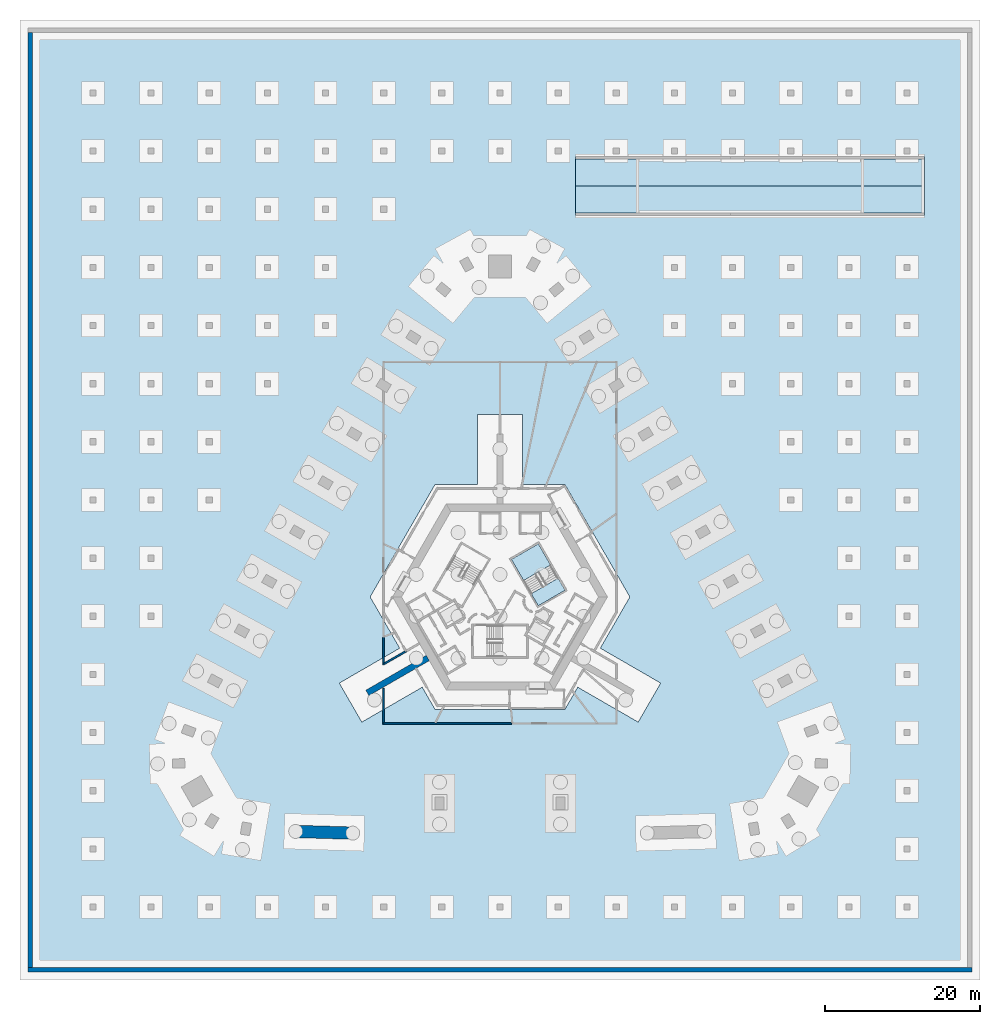
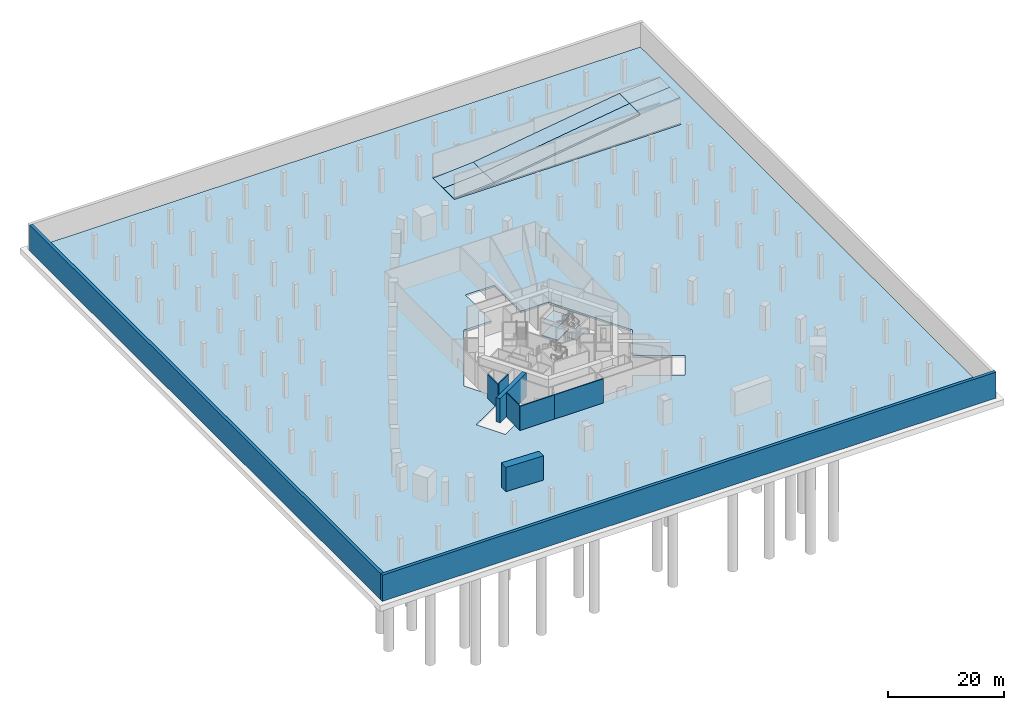
# One storey, part 4 of 14: 10 slabs, 9 walls, 1 element without a shape of its own.
"""IFC4 building model written with IfcOpenShell, lengths in metres."""

from ifc_helpers import new_model, si_unit, direction, frame, frame_2d, origin, place, context, subcontext, project, spatial, polyline, rectangle, outline, extrude, material, layer, layer_set, type_object, element, aggregate, save


model = new_model("IFC4")

# Units and contexts
model_context = context("Model", 3, precision=1e-05, world=origin(), true_north=direction((0.0, 1.0)))
body_context = subcontext(model_context, "Body", "Model", "MODEL_VIEW")
ifc_project = project(units=[si_unit("LENGTHUNIT", "METRE"), si_unit("AREAUNIT", "SQUARE_METRE"), si_unit("VOLUMEUNIT", "CUBIC_METRE"), si_unit("PLANEANGLEUNIT", "RADIAN"), si_unit("MASSUNIT", "GRAM", prefix="KILO")], contexts=[model_context])

# Site, building, storey
site_placement = place(None, origin())
site = spatial("IfcSite", under=ifc_project, at=site_placement, CompositionType="ELEMENT")
building_placement = place(site_placement, origin())
building = spatial("IfcBuilding", under=site, at=building_placement, Name="Entoto Arch Interchange Tower", CompositionType="ELEMENT")
storey_placement = place(building_placement, frame((0.0, 0.0, -16.5)))
storey = spatial("IfcBuildingStorey", under=building, at=storey_placement, Name="B3", CompositionType="ELEMENT", Elevation=-16.5)

# Stair, slabs
ifc_material_1 = material(Name="Concrete C40/50", Category="concrete")
stair_type = type_object("IfcStairType", Name="EXIT STAIR RC 1800", PredefinedType="HALF_TURN_STAIR", material=ifc_material_1)
stair_placement = place(storey_placement, origin())
stair = element("IfcStair", 1, at=stair_placement, inside=storey, type_object=stair_type, Name="B3 Exit stair NE", PredefinedType="HALF_TURN_STAIR")
ifc_layer_1 = layer(ifc_material_1, 0.199951171875)
ifc_layer_set_1 = layer_set([ifc_layer_1], Name="Concrete C40/50")
slab_type_1 = type_object("IfcSlabType", Name="EXIT STAIR LANDING RC 200", PredefinedType="LANDING", material=ifc_layer_set_1)
slab_1_placement = place(storey_placement, frame((0.0, 0.0, 1.175048828125)))
slab_1 = element("IfcSlab", 2, at=slab_1_placement, type_object=slab_type_1, Name="ST-NE landing 1", PredefinedType="LANDING", context=body_context, shape_type="SweptSolid", body=[
    extrude(outline(polyline([(6.513427734375, 6.618408203125), (4.943359375, 9.337890625), (1.479248046875, 7.337890625), (3.04931640625, 4.618408203125), (6.513427734375, 6.618408203125)])), origin(), (0.0, 0.0, 1.0), 0.199951171875),
])
slab_2_placement = place(storey_placement, frame((0.0, 0.0, 2.550048828125)))
slab_2 = element("IfcSlab", 3, at=slab_2_placement, type_object=slab_type_1, Name="ST-NE landing 2", PredefinedType="LANDING", context=body_context, shape_type="SweptSolid", body=[
    extrude(outline(polyline([(8.393310546875, 3.3623046875), (7.493408203125, 4.921142578125), (4.029296875, 2.921142578125), (4.92919921875, 1.3623046875), (8.393310546875, 3.3623046875)])), origin(), (0.0, 0.0, 1.0), 0.199951171875),
])
slab_3_placement = place(storey_placement, frame((0.0, 0.0, 3.925048828125)))
slab_3 = element("IfcSlab", 4, at=slab_3_placement, type_object=slab_type_1, Name="ST-NE landing 3", PredefinedType="LANDING", context=body_context, shape_type="SweptSolid", body=[
    extrude(outline(polyline([(6.513427734375, 6.618408203125), (4.943359375, 9.337890625), (1.479248046875, 7.337890625), (3.04931640625, 4.618408203125), (6.513427734375, 6.618408203125)])), origin(), (0.0, 0.0, 1.0), 0.199951171875),
])
aggregate(stair, [slab_1, slab_2, slab_3])

# Slabs
ifc_layer_2 = layer(ifc_material_1, 0.39990234375)
ifc_layer_set_2 = layer_set([ifc_layer_2], Name="Concrete C40/50")
slab_type_2 = type_object("IfcSlabType", Name="Post-tensioned flat plate 400 C40/50", PredefinedType="FLOOR", material=ifc_layer_set_2)
slab_4_placement = place(storey_placement, frame((0.0, 0.0, -0.39990234375)))
element("IfcSlab", 5, at=slab_4_placement, inside=storey, type_object=slab_type_2, Name="Floor slab B3", PredefinedType="FLOOR", context=body_context, shape_type="SweptSolid", body=[
    extrude(outline(polyline([(-60.300048828125, -45.300048828125), (60.300048828125, -45.300048828125), (60.300048828125, 75.300048828125), (-60.300048828125, 75.300048828125), (-60.300048828125, -45.300048828125)]), holes=[polyline([(-17.819091796875, -13.635986328125), (-10.02490234375, -9.135986328125), (-8.37109375, -12.0), (8.37109375, -12.0), (10.02490234375, -9.135986328125), (17.819091796875, -13.635986328125), (20.718994140625, -8.614013671875), (12.925048828125, -4.113037109375), (16.742919921875, 2.5), (8.37109375, 17.0), (2.89990234375, 17.0), (2.89990234375, 26.0), (-2.89990234375, 26.0), (-2.89990234375, 17.0), (-8.37109375, 17.0), (-16.742919921875, 2.5), (-12.925048828125, -4.113037109375), (-20.718994140625, -8.614013671875), (-17.819091796875, -13.635986328125)]), polyline([(54.75, 51.699951171875), (54.75, 52.0), (9.75, 52.0), (9.75, 51.699951171875), (54.75, 51.699951171875)]), polyline([(54.75, 59.0), (54.75, 59.300048828125), (9.75, 59.300048828125), (9.75, 59.0), (54.75, 59.0)])]), origin(), (0.0, 0.0, 1.0), 0.39990234375),
])
ifc_layer_3 = layer(ifc_material_1, 0.35009765625)
ifc_layer_set_3 = layer_set([ifc_layer_3], Name="Concrete C40/50")
slab_type_3 = type_object("IfcSlabType", Name="Vehicle ramp slab 350 C40/50", PredefinedType="FLOOR", material=ifc_layer_set_3)
for number, where, z_axis, x_axis, name in (
    (6, (46.75, 52.0, 4.910888671875), (0.0, 0.0, 1.0), (1.0, 0.0, 0.0), "Vehicle ramp slab R3 B2 to B3 flight 1 up lane"),
    (7, (46.75, 55.5, 4.910888671875), (0.0, 0.0, 1.0), (1.0, 0.0, 0.0), "Vehicle ramp slab R3 B2 to B3 flight 1 down lane"),
):
    element("IfcSlab", number, at=place(storey_placement, frame(where, z_axis=z_axis, x_axis=x_axis)), inside=storey, type_object=slab_type_3, Name=name, PredefinedType="FLOOR", context=body_context, shape_type="SweptSolid", body=[
        extrude(outline(polyline([(0.0, -0.35009765625), (8.0, 0.239013671875), (8.0, 0.589111328125), (0.0, 0.0), (0.0, -0.35009765625)])), frame((0.0, 3.5, 0.0), z_axis=(0.0, -1.0, 0.0), x_axis=(1.0, 0.0, 0.0)), (0.0, 0.0, 1.0), 3.5),
    ])
for number, where, z_axis, x_axis, name in (
    (8, (17.75, 52.0, 0.63916015625), (0.0, 0.0, 1.0), (1.0, 0.0, 0.0), "Vehicle ramp slab R3 B2 to B3 flight 2 up lane"),
    (9, (17.75, 55.5, 0.63916015625), (0.0, 0.0, 1.0), (1.0, 0.0, 0.0), "Vehicle ramp slab R3 B2 to B3 flight 2 down lane"),
):
    element("IfcSlab", number, at=place(storey_placement, frame(where, z_axis=z_axis, x_axis=x_axis)), inside=storey, type_object=slab_type_3, Name=name, PredefinedType="FLOOR", context=body_context, shape_type="SweptSolid", body=[
        extrude(outline(polyline([(0.0, -0.349853515625), (29.0, 3.921630859375), (29.0, 4.271728515625), (0.0, 0.0), (0.0, -0.349853515625)])), frame((0.0, 3.5, 0.0), z_axis=(0.0, -1.0, 0.0), x_axis=(1.0, 0.0, 0.0)), (0.0, 0.0, 1.0), 3.5),
    ])
for number, where, z_axis, x_axis, name in (
    (10, (9.75, 52.0, 0.050048828125), (0.0, 0.0, 1.0), (1.0, 0.0, 0.0), "Vehicle ramp slab R3 B2 to B3 flight 3 up lane"),
    (11, (9.75, 55.5, 0.050048828125), (0.0, 0.0, 1.0), (1.0, 0.0, 0.0), "Vehicle ramp slab R3 B2 to B3 flight 3 down lane"),
):
    element("IfcSlab", number, at=place(storey_placement, frame(where, z_axis=z_axis, x_axis=x_axis)), inside=storey, type_object=slab_type_3, Name=name, PredefinedType="FLOOR", context=body_context, shape_type="SweptSolid", body=[
        extrude(outline(polyline([(0.0, -0.050048828125), (4.073486328125, -0.050048828125), (8.0, 0.2392578125), (8.0, 0.589111328125), (0.0, 0.0), (0.0, -0.050048828125)])), frame((0.0, 3.5, 0.0), z_axis=(0.0, -1.0, 0.0), x_axis=(1.0, 0.0, 0.0)), (0.0, 0.0, 1.0), 3.5),
    ])

# Walls
ifc_material_2 = material(Name="Concrete C60/75", Category="concrete")
ifc_layer_4 = layer(ifc_material_2, 1.60009765625)
ifc_layer_set_4 = layer_set([ifc_layer_4], Name="Concrete C60/75")
wall_type_1 = type_object("IfcWallType", Name="Arch leg wall 1600 C60/75", PredefinedType="SHEAR", material=ifc_layer_set_4)
wall_1_placement = place(storey_placement, frame((0.0, 0.0, -0.39990234375)))
element("IfcWall", 12, at=wall_1_placement, inside=storey, type_object=wall_type_1, Name="Arch leg W B3", PredefinedType="SHEAR", context=body_context, shape_type="SweptSolid", body=[
    extrude(outline(polyline([(-26.376953125, -28.5400390625), (-19.0, -28.761962890625), (-18.97607421875, -27.162109375), (-26.321044921875, -26.94091796875), (-26.376953125, -28.5400390625)])), origin(), (0.0, 0.0, 1.0), 5.47998046875),
])
ifc_layer_5 = layer(ifc_material_1, 0.60009765625)
ifc_layer_set_5 = layer_set([ifc_layer_5], Name="Concrete C40/50")
wall_type_2 = type_object("IfcWallType", Name="Basement retaining wall 600 C40/50", PredefinedType="SOLIDWALL", material=ifc_layer_set_5)
wall_2_placement = place(storey_placement, frame((0.0, 0.0, -0.39990234375)))
element("IfcWall", 13, at=wall_2_placement, inside=storey, type_object=wall_type_2, Name="Retaining wall B3", PredefinedType="SOLIDWALL", context=body_context, shape_type="SweptSolid", body=[
    extrude(outline(polyline([(60.89990234375, -45.89990234375), (60.89990234375, -45.300048828125), (-60.89990234375, -45.300048828125), (-60.89990234375, -45.89990234375), (60.89990234375, -45.89990234375)])), origin(), (0.0, 0.0, 1.0), 5.47998046875),
])
wall_3_placement = place(storey_placement, frame((0.0, 0.0, -0.39990234375)))
element("IfcWall", 14, at=wall_3_placement, inside=storey, type_object=wall_type_2, Name="Retaining wall B3", PredefinedType="SOLIDWALL", context=body_context, shape_type="SweptSolid", body=[
    extrude(outline(polyline([(-60.300048828125, -45.300048828125), (-60.300048828125, 75.300048828125), (-60.89990234375, 75.300048828125), (-60.89990234375, -45.300048828125), (-60.300048828125, -45.300048828125)])), origin(), (0.0, 0.0, 1.0), 5.47998046875),
])
ifc_layer_6 = layer(ifc_material_2, 0.800048828125)
ifc_layer_set_6 = layer_set([ifc_layer_6], Name="Concrete C60/75")
wall_type_3 = type_object("IfcWallType", Name="Buttress wall 800 C60/75", PredefinedType="SHEAR", material=ifc_layer_set_6)
wall_4_placement = place(storey_placement, frame((-9.31005859375, -5.375, 0.0), z_axis=(0.0, 0.0, 1.0), x_axis=(-0.866017533419, -0.500013631625, 0.0)))
element("IfcWall", 15, at=wall_4_placement, inside=storey, type_object=wall_type_3, Name="Buttress wall SW B3", PredefinedType="SHEAR", context=body_context, shape_type="SweptSolid", body=[
    extrude(rectangle(XDim=8.999755859375, YDim=0.800048828125, at=frame_2d((4.5, 0.0))), origin(), (0.0, 0.0, 1.0), 5.080078125),
])
ifc_material_3 = material(Name="Gypsum board partition on steel studs", Category="steel")
ifc_layer_7 = layer(ifc_material_3, 0.199951171875)
ifc_layer_set_7 = layer_set([ifc_layer_7], Name="Gypsum board partition on steel studs")
wall_type_4 = type_object("IfcWallType", Name="PARTITION 200", PredefinedType="PARTITIONING", material=ifc_layer_set_7)
wall_5_placement = place(storey_placement, frame((-15.0, -13.699951171875, 0.0), z_axis=(0.0, 0.0, 1.0), x_axis=(0.0, 1.0, 0.0)))
element("IfcWall", 16, at=wall_5_placement, inside=storey, type_object=wall_type_4, Name="wall:B3:p018", PredefinedType="PARTITIONING", context=body_context, shape_type="SweptSolid", body=[
    extrude(rectangle(XDim=4.419921875, YDim=0.199951171875, at=frame_2d((2.2099609375, 0.0))), origin(), (0.0, 0.0, 1.0), 5.080078125),
])
wall_6_placement = place(storey_placement, frame((-8.278076171875, -13.800048828125, 0.0), z_axis=(0.0, 0.0, 1.0), x_axis=(-1.0, 0.0, 0.0)))
element("IfcWall", 17, at=wall_6_placement, inside=storey, type_object=wall_type_4, Name="wall:B3:p020", PredefinedType="PARTITIONING", context=body_context, shape_type="SweptSolid", body=[
    extrude(rectangle(XDim=6.822021484375, YDim=0.199951171875, at=frame_2d((3.4111328125, 0.0))), origin(), (0.0, 0.0, 1.0), 5.080078125),
])
wall_7_placement = place(storey_placement, frame((1.4970703125, -13.800048828125, 0.0), z_axis=(0.0, 0.0, 1.0), x_axis=(-1.0, 0.0, 0.0)))
element("IfcWall", 18, at=wall_7_placement, inside=storey, type_object=wall_type_4, Name="wall:B3:p021", PredefinedType="PARTITIONING", context=body_context, shape_type="SweptSolid", body=[
    extrude(rectangle(XDim=9.775146484375, YDim=0.199951171875, at=frame_2d((4.8876953125, 0.0))), origin(), (0.0, 0.0, 1.0), 5.080078125),
])
wall_8_placement = place(storey_placement, frame((-12.037109375, -4.449951171875, 0.0), z_axis=(0.0, 0.0, 1.0), x_axis=(-0.866063163075, -0.499934593286, 0.0)))
element("IfcWall", 19, at=wall_8_placement, inside=storey, type_object=wall_type_4, Name="wall:B3:p067", PredefinedType="PARTITIONING", context=body_context, shape_type="SweptSolid", body=[
    extrude(rectangle(XDim=3.32080078125, YDim=0.199951171875, at=frame_2d((1.660400390625, 0.0))), origin(), (0.0, 0.0, 1.0), 5.080078125),
])
wall_9_placement = place(storey_placement, frame((-15.0, -6.260009765625, 0.0), z_axis=(0.0, 0.0, 1.0), x_axis=(0.0, 1.0, 0.0)))
element("IfcWall", 20, at=wall_9_placement, inside=storey, type_object=wall_type_4, Name="wall:B3:p068", PredefinedType="PARTITIONING", context=body_context, shape_type="SweptSolid", body=[
    extrude(rectangle(XDim=3.553955078125, YDim=0.199951171875, at=frame_2d((1.77685546875, 0.0))), origin(), (0.0, 0.0, 1.0), 5.080078125),
])

save(model, "model.ifc")
